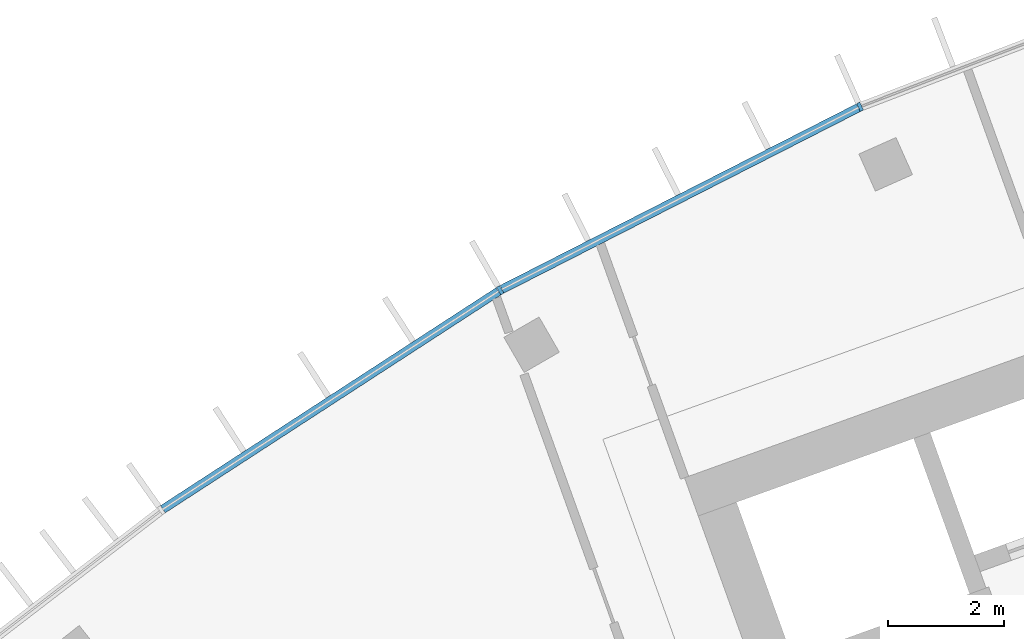
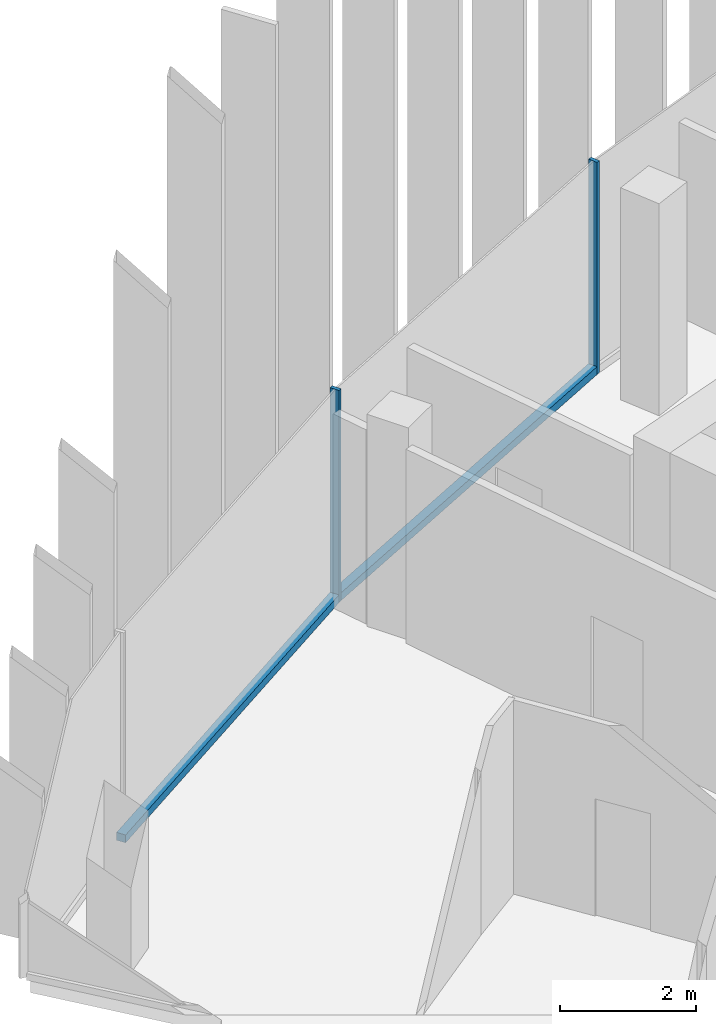
# One storey, part 4 of 19: 4 members, 1 element without a shape of its own.
"""IFC4 building model written with IfcOpenShell, lengths in metres."""

from ifc_helpers import new_model, si_unit, direction, frame, origin, origin_2d, place, context, subcontext, project, spatial, rectangle, extrude, material, layer, layer_set, material_profile, profile_set, type_object, element, aggregate, save


model = new_model("IFC4")

# Units and contexts
model_context = context("Model", 3, precision=1e-05, world=origin(), true_north=direction((0.0, 1.0)))
body_context = subcontext(model_context, "Body", "Model", "MODEL_VIEW")
ifc_project = project(units=[si_unit("LENGTHUNIT", "METRE"), si_unit("AREAUNIT", "SQUARE_METRE"), si_unit("VOLUMEUNIT", "CUBIC_METRE"), si_unit("PLANEANGLEUNIT", "RADIAN"), si_unit("MASSUNIT", "GRAM", prefix="KILO")], contexts=[model_context])

# Site, building, storey
site_placement = place(None, origin())
site = spatial("IfcSite", under=ifc_project, at=site_placement, CompositionType="ELEMENT")
building_placement = place(site_placement, origin())
building = spatial("IfcBuilding", under=site, at=building_placement, Name="Stone Belt Terrace Tower", CompositionType="ELEMENT")
storey_placement = place(building_placement, frame((0.0, 0.0, 292.199951171875)))
storey = spatial("IfcBuildingStorey", under=building, at=storey_placement, Name="L71", CompositionType="ELEMENT", Elevation=292.199951171875)

# Curtain wall, members
ifc_material = material(Name="Aluminium 6063-T6 anodised frame", Category="aluminium")
ifc_layer = layer(ifc_material, 0.14990234375)
ifc_layer_set = layer_set([ifc_layer], Name="CW-A unitised convex-face curtain wall")
curtain_wall_type = type_object("IfcCurtainWallType", Name="CW-A unitised convex-face curtain wall", PredefinedType="NOTDEFINED", material=ifc_layer_set)
curtain_wall_placement = place(storey_placement, origin())
curtain_wall = element("IfcCurtainWall", 1, at=curtain_wall_placement, inside=storey, type_object=curtain_wall_type, Name="CW-A convex face L71", PredefinedType="NOTDEFINED")
ifc_material_profile_1 = material_profile(ifc_material, rectangle(XDim=0.14990234375, YDim=0.06005859375, at=origin_2d()), Name="Aluminium 6063-T6 60x150")
ifc_profile_set_1 = profile_set([ifc_material_profile_1], Name="Aluminium 6063-T6 anodised frame")
member_type_1 = type_object("IfcMemberType", Name="CW-A mullion 60 x 150", PredefinedType="MULLION", material=ifc_profile_set_1)
member_1_placement = place(storey_placement, frame((-27.07861328125, 60.8193359375, 0.0), z_axis=(0.0, 0.0, 1.0), x_axis=(0.406736643076, -0.913545457643, 0.0)))
member_1 = element("IfcMember", 2, at=member_1_placement, type_object=member_type_1, Name="CW-A mullion 12", PredefinedType="MULLION", context=body_context, shape_type="SweptSolid", body=[
    extrude(rectangle(XDim=0.14990234375, YDim=0.06005859375, at=origin_2d()), origin(), (0.0, 0.0, 1.0), 3.800048828125),
])
member_2_placement = place(storey_placement, frame((-33.28759765625, 57.65576171875, 0.0), z_axis=(0.0, 0.0, 1.0), x_axis=(0.5, -0.866025403784, 0.0)))
member_2 = element("IfcMember", 3, at=member_2_placement, type_object=member_type_1, Name="CW-A mullion 13", PredefinedType="MULLION", context=body_context, shape_type="SweptSolid", body=[
    extrude(rectangle(XDim=0.14990234375, YDim=0.06005859375, at=origin_2d()), origin(), (0.0, 0.0, 1.0), 3.800048828125),
])
ifc_material_profile_2 = material_profile(ifc_material, rectangle(XDim=0.14990234375, YDim=0.139892578125, at=origin_2d()), Name="Aluminium 6063-T6 150x140")
ifc_profile_set_2 = profile_set([ifc_material_profile_2], Name="Aluminium 6063-T6 anodised frame")
member_type_2 = type_object("IfcMemberType", Name="CW-A transom 140 x 150", PredefinedType="USERDEFINED", material=ifc_profile_set_2)
member_3_placement = place(storey_placement, frame((-27.108642578125, 60.803955078125, 0.070068359375), z_axis=(-0.891012226264, -0.453979308613, 0.0), x_axis=(0.453979308613, -0.891012226264, 0.0)))
member_3 = element("IfcMember", 4, at=member_3_placement, type_object=member_type_2, Name="CW-A transom 12.1", ObjectType="TRANSOM", PredefinedType="USERDEFINED", context=body_context, shape_type="SweptSolid", body=[
    extrude(rectangle(XDim=0.14990234375, YDim=0.139892578125, at=origin_2d()), origin(), (0.0, 0.0, 1.0), 6.90087890625),
])
member_4_placement = place(storey_placement, frame((-33.31591796875, 57.63720703125, 0.070068359375), z_axis=(-0.83868440714, -0.544617723931, 0.0), x_axis=(0.544617723931, -0.83868440714, 0.0)))
member_4 = element("IfcMember", 5, at=member_4_placement, type_object=member_type_2, Name="CW-A transom 13.1", ObjectType="TRANSOM", PredefinedType="USERDEFINED", context=body_context, shape_type="SweptSolid", body=[
    extrude(rectangle(XDim=0.14990234375, YDim=0.139892578125, at=origin_2d()), origin(), (0.0, 0.0, 1.0), 6.90087890625),
])
aggregate(curtain_wall, [member_1, member_2, member_3, member_4])

save(model, "model.ifc")
